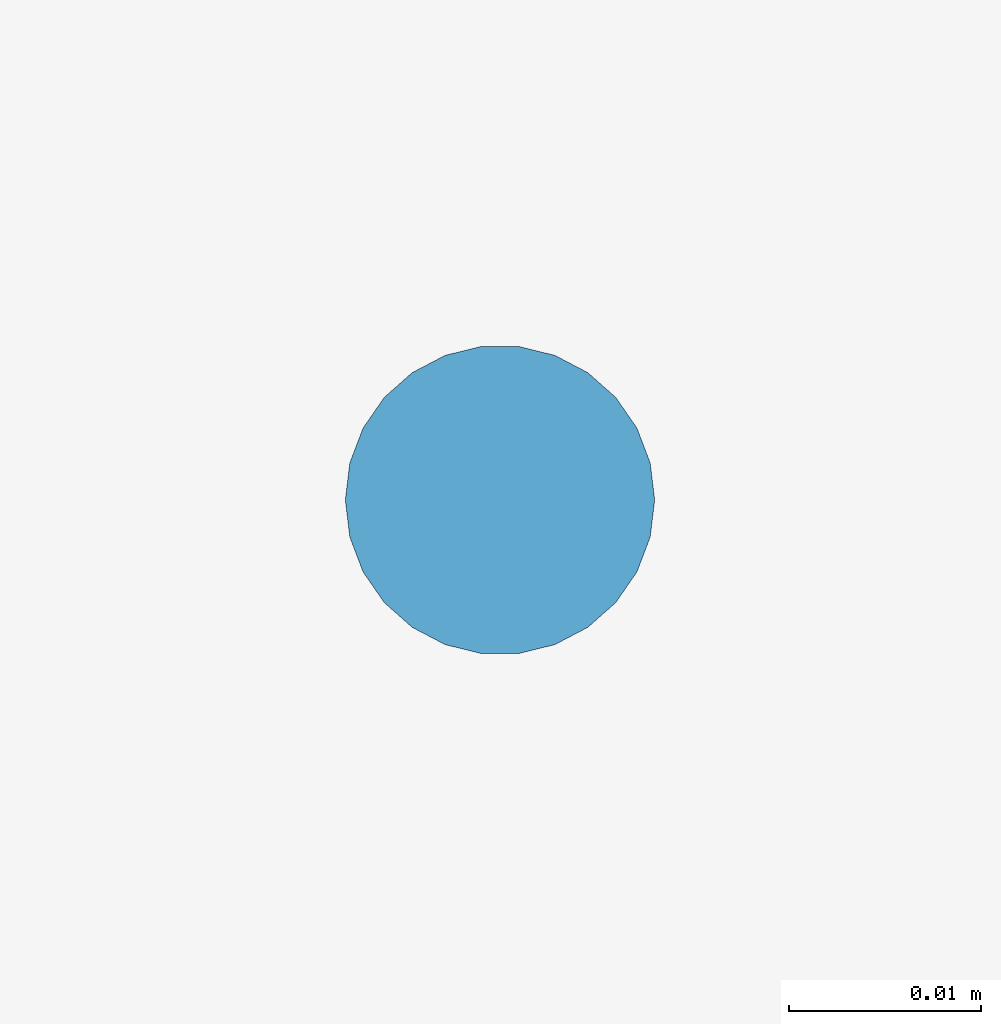
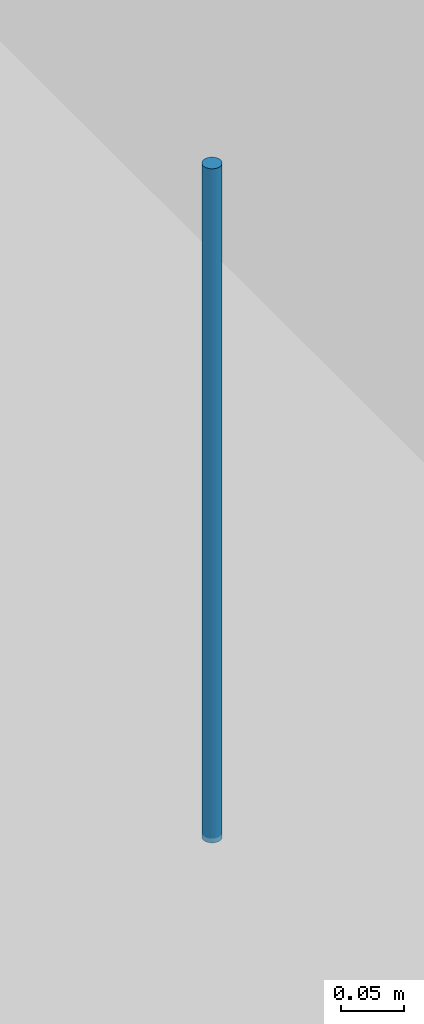
# One storey, part 72 of 77: 1 discrete accessory.
"""IFC4 building model written with IfcOpenShell, lengths in metres."""

from ifc_helpers import new_model, si_unit, direction, frame, origin, origin_2d, place, context, subcontext, project, spatial, circle, extrude, material, type_object, element, save


model = new_model("IFC4")

# Units and contexts
model_context = context("Model", 3, precision=1e-05, world=origin(), true_north=direction((0.0, 1.0)))
body_context = subcontext(model_context, "Body", "Model", "MODEL_VIEW")
ifc_project = project(units=[si_unit("LENGTHUNIT", "METRE"), si_unit("AREAUNIT", "SQUARE_METRE"), si_unit("VOLUMEUNIT", "CUBIC_METRE"), si_unit("PLANEANGLEUNIT", "RADIAN"), si_unit("MASSUNIT", "GRAM", prefix="KILO")], contexts=[model_context])

# Site, building, storey
site_placement = place(None, origin())
site = spatial("IfcSite", under=ifc_project, at=site_placement, CompositionType="ELEMENT")
building_placement = place(site_placement, origin())
building = spatial("IfcBuilding", under=site, at=building_placement, Name="Yukiwa Park Conservatory and Herbarium", CompositionType="ELEMENT")
storey_placement = place(building_placement, frame((0.0, 0.0, 13.199951171875)))
storey = spatial("IfcBuildingStorey", under=building, at=storey_placement, Name="L03", CompositionType="ELEMENT", Elevation=13.199951171875)

# Discrete accessory
ifc_material = material(Name="Steel Q235B", Category="steel")
discrete_accessory_type = type_object("IfcDiscreteAccessoryType", Name="ACC-CEILING-HANGER", PredefinedType="BRACKET", material=ifc_material)
discrete_accessory_placement = place(storey_placement, frame((152.60009765625, 107.39990234375, 3.275146484375), z_axis=(0.0, 0.0, 1.0), x_axis=(1.0, 0.0, 0.0)))
element("IfcDiscreteAccessory", 1, at=discrete_accessory_placement, inside=storey, type_object=discrete_accessory_type, Name="Ceiling suspension hanger rod 18", PredefinedType="BRACKET", context=body_context, shape_type="SweptSolid", body=[
    extrude(circle(Radius=0.008056640625, at=origin_2d()), origin(), (0.0, 0.0, 1.0), 0.64990234375),
])

save(model, "model.ifc")
